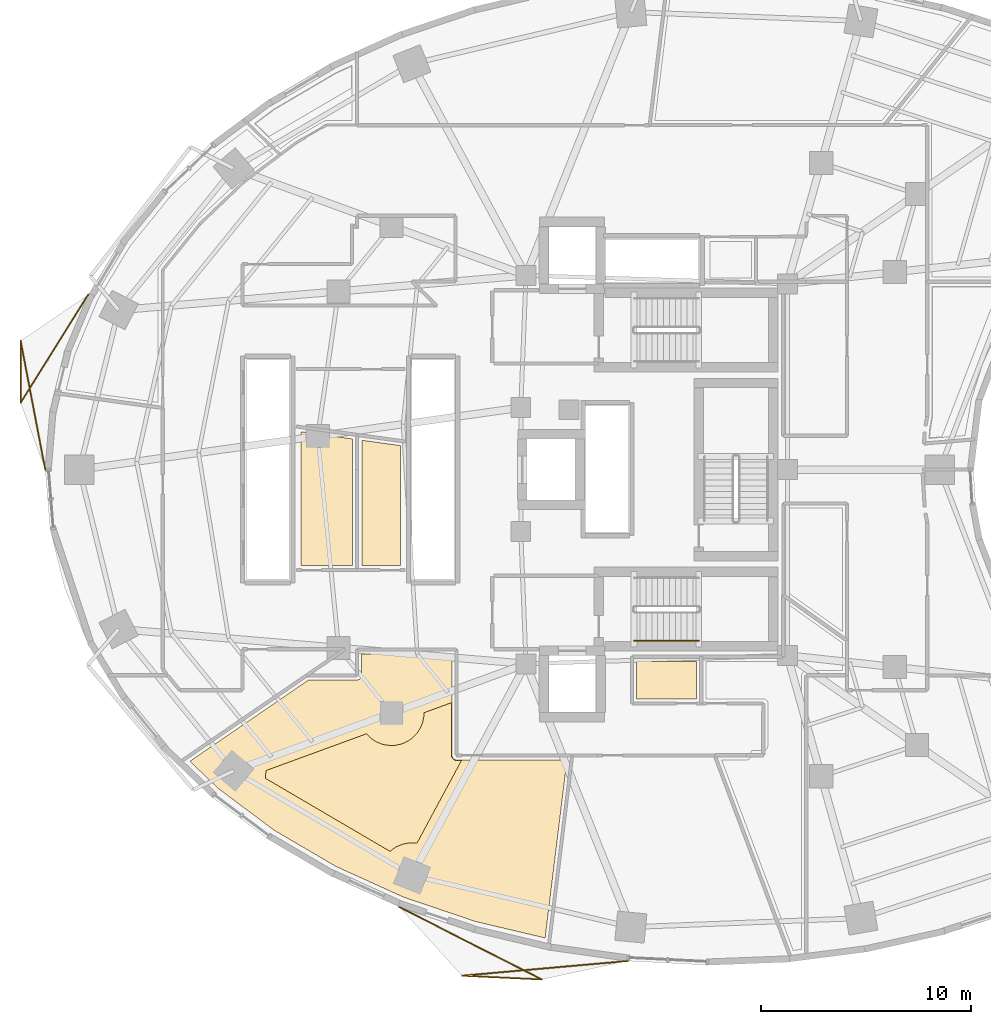
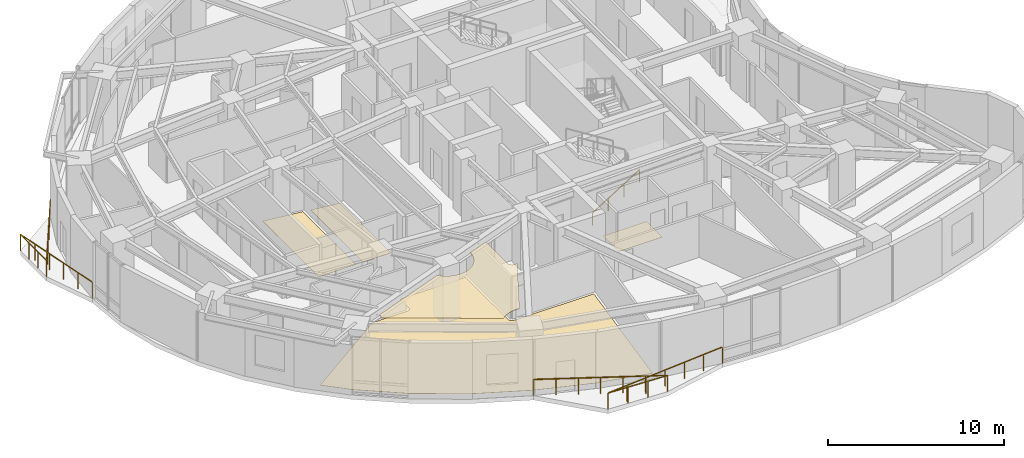
# One storey, part 14 of 16: 5 coverings, 3 railings.
"""IFC4 building model written with IfcOpenShell, lengths in metres."""

from ifc_helpers import new_model, si_unit, direction, frame, origin, origin_2d, place, context, subcontext, project, spatial, polyline, rectangle, outline, extrude, material, layer, layer_set, type_object, element, save


model = new_model("IFC4")

# Units and contexts
model_context = context("Model", 3, precision=1e-05, world=origin(), true_north=direction((0.0, 1.0)))
body_context = subcontext(model_context, "Body", "Model", "MODEL_VIEW")
ifc_project = project(units=[si_unit("LENGTHUNIT", "METRE"), si_unit("AREAUNIT", "SQUARE_METRE"), si_unit("VOLUMEUNIT", "CUBIC_METRE"), si_unit("PLANEANGLEUNIT", "RADIAN"), si_unit("MASSUNIT", "GRAM", prefix="KILO")], contexts=[model_context])

# Site, building, storey
site_placement = place(None, origin())
site = spatial("IfcSite", under=ifc_project, at=site_placement, CompositionType="ELEMENT")
building_placement = place(site_placement, origin())
building = spatial("IfcBuilding", under=site, at=building_placement, Name="Korentha Bioscience Tower", CompositionType="ELEMENT")
storey_placement = place(building_placement, frame((0.0, 0.0, 59.39990234375)))
storey = spatial("IfcBuildingStorey", under=building, at=storey_placement, Name="L13", CompositionType="ELEMENT", Elevation=59.39990234375)

# Railings
ifc_material_1 = material(Name="Stainless Steel 304", Category="steel")
railing_type_1 = type_object("IfcRailingType", Name="Brushed Stainless Stair Handrail 900", PredefinedType="HANDRAIL", material=ifc_material_1)
railing_1_placement = place(storey_placement, frame((30.25, 18.85009765625, 0.175048828125)))
element("IfcRailing", 1, at=railing_1_placement, inside=storey, type_object=railing_type_1, Name="L13 ST-2 stair handrail 1", PredefinedType="HANDRAIL", context=body_context, shape_type="SweptSolid", body=[
    extrude(rectangle(XDim=0.048095703125, YDim=0.048095703125, at=origin_2d()), frame((0.0, 0.0, 0.8759765625), z_axis=(0.847998304005, 0.0, 0.529998940003), x_axis=(0.0, 1.0, 0.0)), (0.0, 0.0, 1.0), 3.632080078125),
    extrude(rectangle(XDim=0.0419921875, YDim=0.0419921875, at=origin_2d()), origin(), (0.0, 0.0, 1.0), 0.851806640625),
    extrude(rectangle(XDim=0.0419921875, YDim=0.0419921875, at=origin_2d()), frame((1.026611328125, 0.0, 0.6416015625)), (0.0, 0.0, 1.0), 0.851806640625),
    extrude(rectangle(XDim=0.0419921875, YDim=0.0419921875, at=origin_2d()), frame((2.053466796875, 0.0, 1.283447265625)), (0.0, 0.0, 1.0), 0.851806640625),
    extrude(rectangle(XDim=0.0419921875, YDim=0.0419921875, at=origin_2d()), frame((3.080078125, 0.0, 1.925048828125)), (0.0, 0.0, 1.0), 0.851806640625),
])
ifc_material_2 = material(Name="Laminated Tempered Safety Glass", Category="glass")
railing_type_2 = type_object("IfcRailingType", Name="Laminated Glass Balcony Guardrail 1150", PredefinedType="BALUSTRADE", material=ifc_material_2)
railing_2_placement = place(storey_placement, frame((4.246337890625, 35.3291015625, 0.0)))
element("IfcRailing", 2, at=railing_2_placement, inside=storey, type_object=railing_type_2, Name="L13 Balcony Guardrail 02", PredefinedType="BALUSTRADE", context=body_context, shape_type="SweptSolid", body=[
    extrude(rectangle(XDim=0.048095703125, YDim=0.048095703125, at=origin_2d()), frame((0.0, 0.0, 1.1259765625), z_axis=(-0.530529545818, -0.847666444431, 0.0), x_axis=(0.847666444431, -0.530529545818, 0.0)), (0.0, 0.0, 1.0), 6.07861328125),
    extrude(rectangle(XDim=0.048095703125, YDim=0.048095703125, at=origin_2d()), frame((-3.224853515625, -5.152587890625, 1.1259765625), z_axis=(0.001898939773, 0.999998197012, 0.0), x_axis=(-0.999998197012, 0.001898939773, 0.0)), (0.0, 0.0, 1.0), 2.95703125),
    extrude(rectangle(XDim=0.048095703125, YDim=0.048095703125, at=origin_2d()), frame((-3.21923828125, -2.195556640625, 1.1259765625), z_axis=(0.18781629778, -0.982204173422, 0.0), x_axis=(0.982204173422, 0.18781629778, 0.0)), (0.0, 0.0, 1.0), 6.24462890625),
    extrude(rectangle(XDim=0.0419921875, YDim=0.0419921875, at=origin_2d()), origin(), (0.0, 0.0, 1.0), 1.101806640625),
    extrude(rectangle(XDim=0.0419921875, YDim=0.0419921875, at=origin_2d()), frame((-0.64501953125, -1.030517578125, 0.0)), (0.0, 0.0, 1.0), 1.101806640625),
    extrude(rectangle(XDim=0.0419921875, YDim=0.0419921875, at=origin_2d()), frame((-1.2900390625, -2.06103515625, 0.0)), (0.0, 0.0, 1.0), 1.101806640625),
    extrude(rectangle(XDim=0.0419921875, YDim=0.0419921875, at=origin_2d()), frame((-1.934814453125, -3.091552734375, 0.0)), (0.0, 0.0, 1.0), 1.101806640625),
    extrude(rectangle(XDim=0.0419921875, YDim=0.0419921875, at=origin_2d()), frame((-2.579833984375, -4.1220703125, 0.0)), (0.0, 0.0, 1.0), 1.101806640625),
    extrude(rectangle(XDim=0.0419921875, YDim=0.0419921875, at=origin_2d()), frame((-3.224853515625, -5.152587890625, 0.0)), (0.0, 0.0, 1.0), 1.101806640625),
    extrude(rectangle(XDim=0.0419921875, YDim=0.0419921875, at=origin_2d()), frame((-3.222900390625, -4.1669921875, 0.0)), (0.0, 0.0, 1.0), 1.101806640625),
    extrude(rectangle(XDim=0.0419921875, YDim=0.0419921875, at=origin_2d()), frame((-3.22119140625, -3.18115234375, 0.0)), (0.0, 0.0, 1.0), 1.101806640625),
    extrude(rectangle(XDim=0.0419921875, YDim=0.0419921875, at=origin_2d()), frame((-3.21923828125, -2.195556640625, 0.0)), (0.0, 0.0, 1.0), 1.101806640625),
    extrude(rectangle(XDim=0.0419921875, YDim=0.0419921875, at=origin_2d()), frame((-2.984619140625, -3.42236328125, 0.0)), (0.0, 0.0, 1.0), 1.101806640625),
    extrude(rectangle(XDim=0.0419921875, YDim=0.0419921875, at=origin_2d()), frame((-2.75, -4.64892578125, 0.0)), (0.0, 0.0, 1.0), 1.101806640625),
    extrude(rectangle(XDim=0.0419921875, YDim=0.0419921875, at=origin_2d()), frame((-2.515625, -5.875732421875, 0.0)), (0.0, 0.0, 1.0), 1.101806640625),
    extrude(rectangle(XDim=0.0419921875, YDim=0.0419921875, at=origin_2d()), frame((-2.281005859375, -7.102294921875, 0.0)), (0.0, 0.0, 1.0), 1.101806640625),
    extrude(rectangle(XDim=0.0419921875, YDim=0.0419921875, at=origin_2d()), frame((-2.04638671875, -8.3291015625, 0.0)), (0.0, 0.0, 1.0), 1.101806640625),
])
railing_3_placement = place(storey_placement, frame((19.07080078125, 6.162353515625, 0.0)))
element("IfcRailing", 3, at=railing_3_placement, inside=storey, type_object=railing_type_2, Name="L13 Balcony Guardrail 03", PredefinedType="BALUSTRADE", context=body_context, shape_type="SweptSolid", body=[
    extrude(rectangle(XDim=0.048095703125, YDim=0.048095703125, at=origin_2d()), frame((0.0, 0.0, 1.1259765625), z_axis=(0.891319654486, -0.45337542228, 0.0), x_axis=(0.45337542228, 0.891319654486, 0.0)), (0.0, 0.0, 1.0), 7.610107421875),
    extrude(rectangle(XDim=0.048095703125, YDim=0.048095703125, at=origin_2d()), frame((6.782958984375, -3.4501953125, 1.1259765625), z_axis=(-0.998888075522, 0.047144592276, 0.0), x_axis=(-0.047144592276, -0.998888075522, 0.0)), (0.0, 0.0, 1.0), 3.80615234375),
    extrude(rectangle(XDim=0.048095703125, YDim=0.048095703125, at=origin_2d()), frame((2.98095703125, -3.270751953125, 1.1259765625), z_axis=(0.996070888577, 0.088559499377, 0.0), x_axis=(-0.088559499377, 0.996070888577, 0.0)), (0.0, 0.0, 1.0), 7.920166015625),
    extrude(rectangle(XDim=0.0419921875, YDim=0.0419921875, at=origin_2d()), origin(), (0.0, 0.0, 1.0), 1.101806640625),
    extrude(rectangle(XDim=0.0419921875, YDim=0.0419921875, at=origin_2d()), frame((1.13037109375, -0.574951171875, 0.0)), (0.0, 0.0, 1.0), 1.101806640625),
    extrude(rectangle(XDim=0.0419921875, YDim=0.0419921875, at=origin_2d()), frame((2.260986328125, -1.150146484375, 0.0)), (0.0, 0.0, 1.0), 1.101806640625),
    extrude(rectangle(XDim=0.0419921875, YDim=0.0419921875, at=origin_2d()), frame((3.3916015625, -1.72509765625, 0.0)), (0.0, 0.0, 1.0), 1.101806640625),
    extrude(rectangle(XDim=0.0419921875, YDim=0.0419921875, at=origin_2d()), frame((4.52197265625, -2.300048828125, 0.0)), (0.0, 0.0, 1.0), 1.101806640625),
    extrude(rectangle(XDim=0.0419921875, YDim=0.0419921875, at=origin_2d()), frame((5.65234375, -2.875244140625, 0.0)), (0.0, 0.0, 1.0), 1.101806640625),
    extrude(rectangle(XDim=0.0419921875, YDim=0.0419921875, at=origin_2d()), frame((6.782958984375, -3.4501953125, 0.0)), (0.0, 0.0, 1.0), 1.101806640625),
    extrude(rectangle(XDim=0.0419921875, YDim=0.0419921875, at=origin_2d()), frame((5.515625, -3.390380859375, 0.0)), (0.0, 0.0, 1.0), 1.101806640625),
    extrude(rectangle(XDim=0.0419921875, YDim=0.0419921875, at=origin_2d()), frame((4.248291015625, -3.33056640625, 0.0)), (0.0, 0.0, 1.0), 1.101806640625),
    extrude(rectangle(XDim=0.0419921875, YDim=0.0419921875, at=origin_2d()), frame((2.98095703125, -3.270751953125, 0.0)), (0.0, 0.0, 1.0), 1.101806640625),
    extrude(rectangle(XDim=0.0419921875, YDim=0.0419921875, at=origin_2d()), frame((4.2958984375, -3.15380859375, 0.0)), (0.0, 0.0, 1.0), 1.101806640625),
    extrude(rectangle(XDim=0.0419921875, YDim=0.0419921875, at=origin_2d()), frame((5.610595703125, -3.036865234375, 0.0)), (0.0, 0.0, 1.0), 1.101806640625),
    extrude(rectangle(XDim=0.0419921875, YDim=0.0419921875, at=origin_2d()), frame((6.925537109375, -2.919921875, 0.0)), (0.0, 0.0, 1.0), 1.101806640625),
    extrude(rectangle(XDim=0.0419921875, YDim=0.0419921875, at=origin_2d()), frame((8.240478515625, -2.80322265625, 0.0)), (0.0, 0.0, 1.0), 1.101806640625),
    extrude(rectangle(XDim=0.0419921875, YDim=0.0419921875, at=origin_2d()), frame((9.55517578125, -2.686279296875, 0.0)), (0.0, 0.0, 1.0), 1.101806640625),
    extrude(rectangle(XDim=0.0419921875, YDim=0.0419921875, at=origin_2d()), frame((10.8701171875, -2.5693359375, 0.0)), (0.0, 0.0, 1.0), 1.101806640625),
])

# Coverings
ifc_material_3 = material(Name="Antimicrobial Mineral Fibre Board", Category="gypsum")
ifc_layer_1 = layer(ifc_material_3, 0.034912109375, Name="Antimicrobial Mineral Fibre Board")
ifc_layer_set_1 = layer_set([ifc_layer_1], Name="Antimicrobial Mineral Fibre Board (CL-MF35)")
covering_type_1 = type_object("IfcCoveringType", Name="Mineral-Fibre Cleanroom Suspended Ceiling 35", PredefinedType="CEILING", material=ifc_layer_set_1)
covering_1_placement = place(storey_placement, frame((0.0, 0.0, 3.864990234375)))
element("IfcCovering", 4, at=covering_1_placement, inside=storey, type_object=covering_type_1, Name="L13 NMR Spectroscopy Shielded Room 05 Acoustic Ceiling", PredefinedType="CEILING", context=body_context, shape_type="SweptSolid", body=[
    extrude(outline(polyline([(21.540283203125, 13.3876953125), (21.577392578125, 13.265869140625), (21.6884765625, 13.165283203125), (21.786865234375, 13.140380859375), (22.02392578125, 13.139892578125), (19.900634765625, 9.201416015625), (19.66650390625, 9.22119140625), (19.514404296875, 9.213623046875), (19.216552734375, 9.154296875), (18.935791015625, 9.0380859375), (18.805419921875, 8.9599609375), (18.623046875, 8.81494140625), (12.677490234375, 12.30078125), (12.71923828125, 12.666015625), (17.5, 14.415283203125), (17.708740234375, 14.20703125), (17.96142578125, 14.038330078125), (18.2421875, 13.922119140625), (18.3896484375, 13.885009765625), (18.692138671875, 13.855224609375), (18.843994140625, 13.86279296875), (19.14208984375, 13.922119140625), (19.285400390625, 13.973388671875), (19.55322265625, 14.116455078125), (19.67529296875, 14.20703125), (19.890380859375, 14.422119140625), (19.98095703125, 14.544189453125), (20.05908203125, 14.674560546875), (20.17529296875, 14.955322265625), (20.234619140625, 15.25341796875), (20.241455078125, 15.41845703125), (21.5400390625, 15.893798828125), (21.540283203125, 13.3876953125)])), origin(), (0.0, 0.0, 1.0), 0.03515625),
])
ifc_material_4 = material(Name="Chemical-Resistant Epoxy Resin", Category="polymer")
ifc_layer_2 = layer(ifc_material_4, 0.011962890625, Name="Chemical-Resistant Epoxy Resin")
ifc_layer_set_2 = layer_set([ifc_layer_2], Name="Chemical-Resistant Epoxy Resin (FL-EPX)")
covering_type_2 = type_object("IfcCoveringType", Name="Seamless Epoxy Laboratory Flooring 12", PredefinedType="FLOORING", material=ifc_layer_set_2)
covering_2_placement = place(storey_placement, origin())
element("IfcCovering", 5, at=covering_2_placement, inside=storey, type_object=covering_type_2, Name="L13 Core Instrumentation and Gas Store Floor Finish", PredefinedType="FLOORING", context=body_context, shape_type="SweptSolid", body=[
    extrude(outline(polyline([(30.3701171875, 16.080078125), (30.3701171875, 17.8701171875), (33.22998046875, 17.8701171875), (33.22998046875, 16.080078125), (30.3701171875, 16.080078125)])), origin(), (0.0, 0.0, 1.0), 0.01220703125),
])
covering_3_placement = place(storey_placement, origin())
element("IfcCovering", 6, at=covering_3_placement, inside=storey, type_object=covering_type_2, Name="L13 Staff Pantry Kitchenette 01 Floor Finish", PredefinedType="FLOORING", context=body_context, shape_type="SweptSolid", body=[
    extrude(outline(polyline([(16.827880859375, 28.461181640625), (16.827880859375, 22.429931640625), (14.3798828125, 22.429931640625), (14.3798828125, 28.80078125), (16.827880859375, 28.461181640625)])), origin(), (0.0, 0.0, 1.0), 0.01220703125),
])
covering_4_placement = place(storey_placement, origin())
element("IfcCovering", 7, at=covering_4_placement, inside=storey, type_object=covering_type_2, Name="L13 Biomechanical Motion Analysis Lab 03 Floor Finish", PredefinedType="FLOORING", context=body_context, shape_type="SweptSolid", body=[
    extrude(outline(polyline([(17.278076171875, 22.429931640625), (17.278076171875, 28.398681640625), (19.1201171875, 28.143310546875), (19.1201171875, 22.429931640625), (17.278076171875, 22.429931640625)])), origin(), (0.0, 0.0, 1.0), 0.01220703125),
])
covering_5_placement = place(storey_placement, origin())
element("IfcCovering", 8, at=covering_5_placement, inside=storey, type_object=covering_type_2, Name="L13 NMR Spectroscopy Shielded Room 05 Floor Finish", PredefinedType="FLOORING", context=body_context, shape_type="SweptSolid", body=[
    extrude(outline(polyline([(17.048095703125, 16.97802734375), (17.132080078125, 16.994384765625), (17.1884765625, 17.02734375), (17.24365234375, 17.093017578125), (17.266845703125, 17.15380859375), (17.27197265625, 18.219970703125), (21.570068359375, 18.219970703125), (21.570068359375, 13.39990234375), (21.591796875, 13.302001953125), (21.645263671875, 13.22998046875), (21.72216796875, 13.18359375), (21.800048828125, 13.169921875), (27.0517578125, 13.169921875), (26.010498046875, 4.689208984375), (22.687255859375, 5.474609375), (19.2587890625, 6.63720703125), (16.0458984375, 8.09521484375), (13.09619140625, 9.826171875), (10.451904296875, 11.8037109375), (9.0859375, 13.1064453125), (14.740478515625, 16.97802734375), (17.048095703125, 16.97802734375)])), origin(), (0.0, 0.0, 1.0), 0.01220703125),
])

save(model, "model.ifc")
